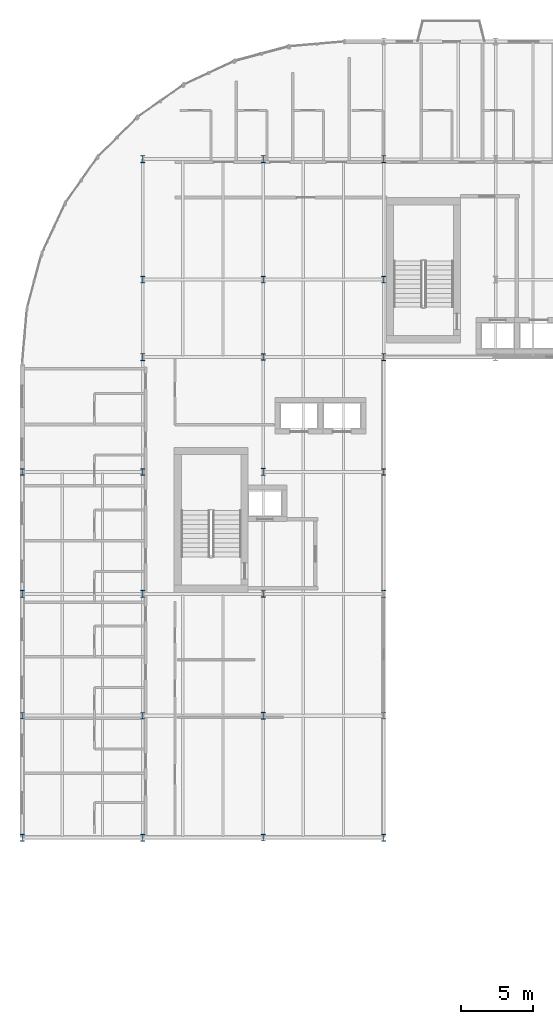
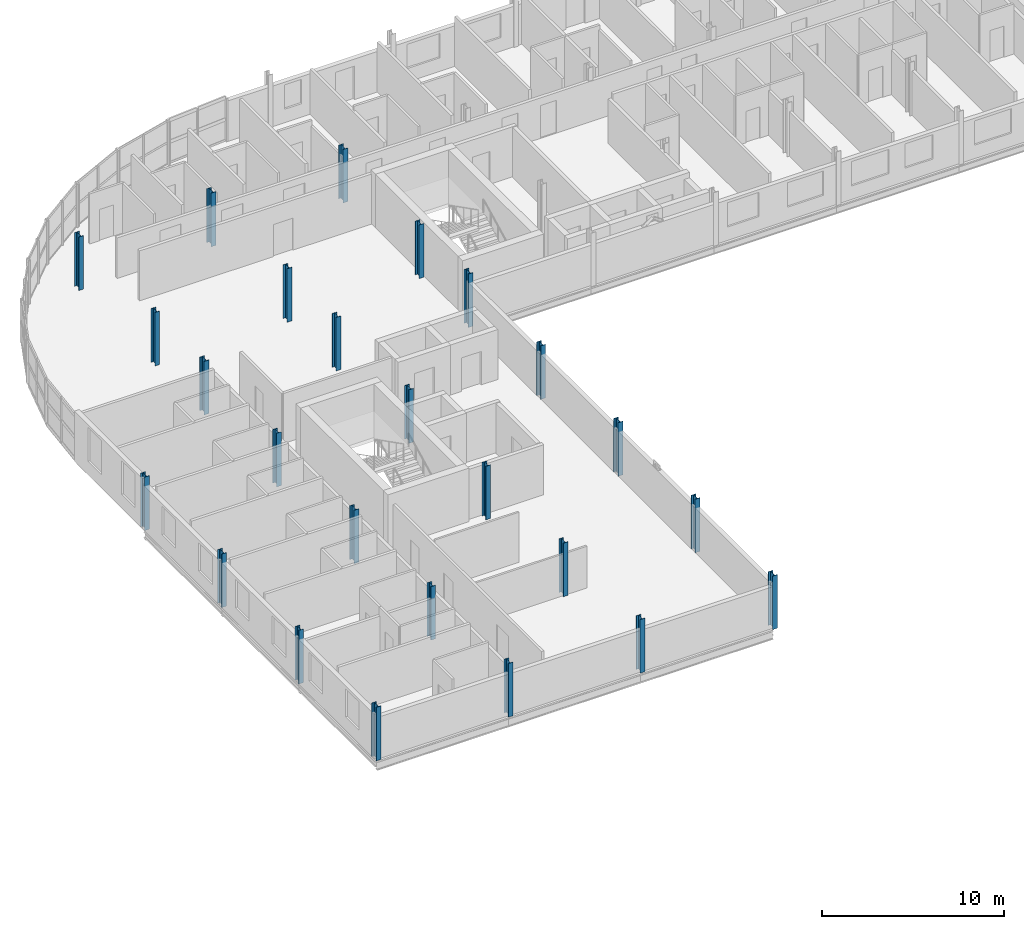
# One storey, part 1 of 34: 25 columns.
"""IFC4 building model written with IfcOpenShell, lengths in metres."""

from ifc_helpers import new_model, si_unit, direction, frame, origin, origin_2d, place, context, subcontext, project, spatial, i_section, extrude, material, material_profile, profile_set, type_object, element, save


model = new_model("IFC4")

# Units and contexts
model_context = context("Model", 3, precision=1e-05, world=origin(), true_north=direction((0.0, 1.0)))
body_context = subcontext(model_context, "Body", "Model", "MODEL_VIEW")
ifc_project = project(units=[si_unit("LENGTHUNIT", "METRE"), si_unit("AREAUNIT", "SQUARE_METRE"), si_unit("VOLUMEUNIT", "CUBIC_METRE"), si_unit("PLANEANGLEUNIT", "RADIAN"), si_unit("MASSUNIT", "GRAM", prefix="KILO")], contexts=[model_context])

# Site, building, storey
site_placement = place(None, origin())
site = spatial("IfcSite", under=ifc_project, at=site_placement, CompositionType="ELEMENT")
building_placement = place(site_placement, origin())
building = spatial("IfcBuilding", under=site, at=building_placement, Name="Sefraquen Railside Congress Hotel", CompositionType="ELEMENT")
storey_placement = place(building_placement, frame((0.0, 0.0, 31.800048828125)))
storey = spatial("IfcBuildingStorey", under=building, at=storey_placement, Name="L07", CompositionType="ELEMENT", Elevation=31.800048828125)

# Columns
ifc_material = material(Name="Steel S355JR", Category="steel")
ifc_material_profile_1 = material_profile(ifc_material, i_section(OverallWidth=0.300048828125, OverallDepth=0.449951171875, WebThickness=0.013916015625, FlangeThickness=0.02587890625, FilletRadius=0.027099609375, at=origin_2d()), Name="HEB 450")
ifc_profile_set_1 = profile_set([ifc_material_profile_1], Name="Steel S355JR")
column_type_1 = type_object("IfcColumnType", Name="TC-HEB-450", PredefinedType="COLUMN", material=ifc_profile_set_1)
for number, where, z_axis, x_axis, name in (
    (1, (0.0, 71.0, 0.0), (0.0, 0.0, 1.0), (1.0, 0.0, 0.0), "Structural column 1-J L07"),
    (2, (0.0, 88.0, 0.0), (0.0, 0.0, 1.0), (1.0, 0.0, 0.0), "Structural column 1-L L07"),
    (3, (8.39990234375, 71.0, 0.0), (0.0, 0.0, 1.0), (1.0, 0.0, 0.0), "Structural column 2-J L07"),
    (4, (8.39990234375, 88.0, 0.0), (0.0, 0.0, 1.0), (1.0, 0.0, 0.0), "Structural column 2-L L07"),
    (5, (16.800048828125, 62.5, 0.0), (0.0, 0.0, 1.0), (1.0, 0.0, 0.0), "Structural column 3-H L07"),
    (6, (16.800048828125, 79.5, 0.0), (0.0, 0.0, 1.0), (1.0, 0.0, 0.0), "Structural column 3-K L07"),
    (7, (16.800048828125, 96.0, 0.0), (0.0, 0.0, 1.0), (1.0, 0.0, 0.0), "Structural column 3-M L07"),
    (8, (25.199951171875, 71.0, 0.0), (0.0, 0.0, 1.0), (1.0, 0.0, 0.0), "Structural column 4-J L07"),
    (9, (25.199951171875, 88.0, 0.0), (0.0, 0.0, 1.0), (1.0, 0.0, 0.0), "Structural column 4-L L07"),
    (10, (8.39990234375, 101.39990234375, 0.0), (0.0, 0.0, 1.0), (1.0, 0.0, 0.0), "Structural column 2-N L07"),
    (11, (16.800048828125, 101.39990234375, 0.0), (0.0, 0.0, 1.0), (1.0, 0.0, 0.0), "Structural column 3-N L07"),
    (12, (25.199951171875, 101.39990234375, 0.0), (0.0, 0.0, 1.0), (1.0, 0.0, 0.0), "Structural column 4-N L07"),
):
    element("IfcColumn", number, at=place(storey_placement, frame(where, z_axis=z_axis, x_axis=x_axis)), inside=storey, type_object=column_type_1, Name=name, PredefinedType="COLUMN", context=body_context, shape_type="SweptSolid", body=[
        extrude(i_section(OverallWidth=0.300048828125, OverallDepth=0.449951171875, WebThickness=0.013916015625, FlangeThickness=0.02587890625, FilletRadius=0.027099609375, at=origin_2d()), origin(), (0.0, 0.0, 1.0), 3.599853515625),
    ])
ifc_material_profile_2 = material_profile(ifc_material, i_section(OverallWidth=0.300048828125, OverallDepth=0.5, WebThickness=0.014404296875, FlangeThickness=0.028076171875, FilletRadius=0.027099609375, at=origin_2d()), Name="HEB 500")
ifc_profile_set_2 = profile_set([ifc_material_profile_2], Name="Steel S355JR")
column_type_2 = type_object("IfcColumnType", Name="TC-HEB-500", PredefinedType="COLUMN", material=ifc_profile_set_2)
for number, where, z_axis, x_axis, name in (
    (13, (0.0, 62.5, 0.0), (0.0, 0.0, 1.0), (1.0, 0.0, 0.0), "Structural column 1-H L07"),
    (14, (0.0, 79.5, 0.0), (0.0, 0.0, 1.0), (1.0, 0.0, 0.0), "Structural column 1-K L07"),
    (15, (8.39990234375, 62.5, 0.0), (0.0, 0.0, 1.0), (1.0, 0.0, 0.0), "Structural column 2-H L07"),
    (16, (8.39990234375, 79.5, 0.0), (0.0, 0.0, 1.0), (1.0, 0.0, 0.0), "Structural column 2-K L07"),
    (17, (8.39990234375, 96.0, 0.0), (0.0, 0.0, 1.0), (1.0, 0.0, 0.0), "Structural column 2-M L07"),
    (18, (16.800048828125, 71.0, 0.0), (0.0, 0.0, 1.0), (1.0, 0.0, 0.0), "Structural column 3-J L07"),
    (19, (16.800048828125, 88.0, 0.0), (0.0, 0.0, 1.0), (1.0, 0.0, 0.0), "Structural column 3-L L07"),
    (20, (25.199951171875, 62.5, 0.0), (0.0, 0.0, 1.0), (1.0, 0.0, 0.0), "Structural column 4-H L07"),
    (21, (25.199951171875, 79.5, 0.0), (0.0, 0.0, 1.0), (1.0, 0.0, 0.0), "Structural column 4-K L07"),
    (22, (25.199951171875, 96.0, 0.0), (0.0, 0.0, 1.0), (1.0, 0.0, 0.0), "Structural column 4-M L07"),
    (23, (8.39990234375, 109.800048828125, 0.0), (0.0, 0.0, 1.0), (1.0, 0.0, 0.0), "Structural column 2-P L07"),
    (24, (16.800048828125, 109.800048828125, 0.0), (0.0, 0.0, 1.0), (1.0, 0.0, 0.0), "Structural column 3-P L07"),
    (25, (25.199951171875, 109.800048828125, 0.0), (0.0, 0.0, 1.0), (1.0, 0.0, 0.0), "Structural column 4-P L07"),
):
    element("IfcColumn", number, at=place(storey_placement, frame(where, z_axis=z_axis, x_axis=x_axis)), inside=storey, type_object=column_type_2, Name=name, PredefinedType="COLUMN", context=body_context, shape_type="SweptSolid", body=[
        extrude(i_section(OverallWidth=0.300048828125, OverallDepth=0.5, WebThickness=0.014404296875, FlangeThickness=0.028076171875, FilletRadius=0.027099609375, at=origin_2d()), origin(), (0.0, 0.0, 1.0), 3.599853515625),
    ])

save(model, "model.ifc")
